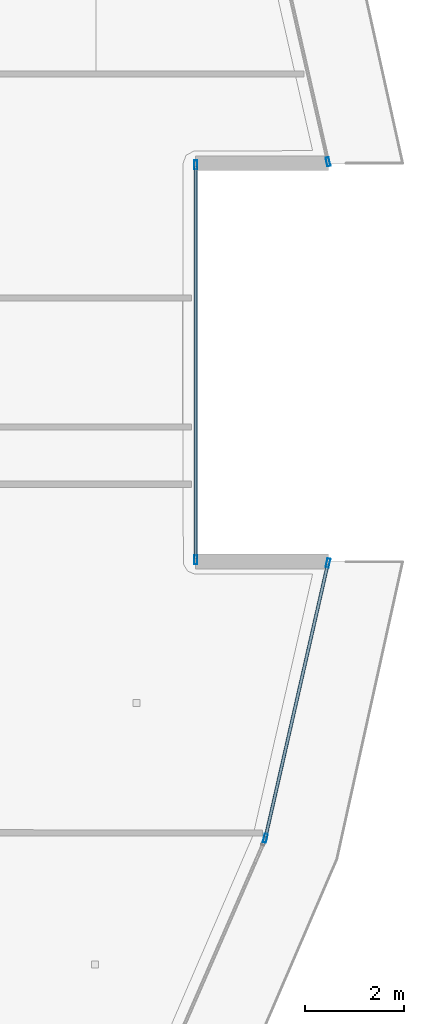
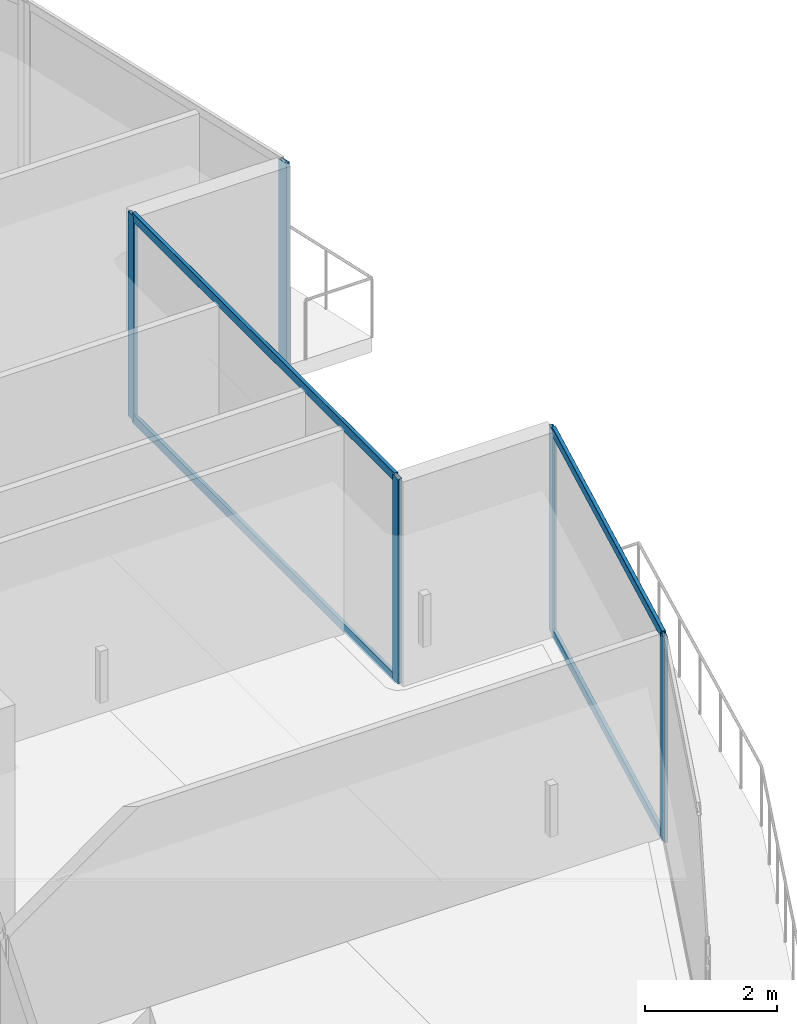
# One storey, part 13 of 36: 9 members, 3 elements without a shape of their own.
"""IFC4 building model written with IfcOpenShell, lengths in metres."""

from ifc_helpers import new_model, si_unit, direction, frame, origin, origin_2d, place, context, subcontext, project, spatial, hollow_rectangle, extrude, material, layer, layer_set, material_profile, profile_set, type_object, element, aggregate, save


model = new_model("IFC4")

# Units and contexts
model_context = context("Model", 3, precision=1e-05, world=origin(), true_north=direction((0.0, 1.0)))
body_context = subcontext(model_context, "Body", "Model", "MODEL_VIEW")
ifc_project = project(units=[si_unit("LENGTHUNIT", "METRE"), si_unit("AREAUNIT", "SQUARE_METRE"), si_unit("VOLUMEUNIT", "CUBIC_METRE"), si_unit("PLANEANGLEUNIT", "RADIAN"), si_unit("MASSUNIT", "GRAM", prefix="KILO")], contexts=[model_context])

# Site, building, storey
site_placement = place(None, origin())
site = spatial("IfcSite", under=ifc_project, at=site_placement, CompositionType="ELEMENT")
building_placement = place(site_placement, origin())
building = spatial("IfcBuilding", under=site, at=building_placement, Name="Qorvath Tower", CompositionType="ELEMENT")
storey_placement = place(building_placement, frame((0.0, 0.0, 241.5)))
storey = spatial("IfcBuildingStorey", under=building, at=storey_placement, Name="L56", CompositionType="ELEMENT", Elevation=241.5)

# Curtain wall, members
ifc_material_1 = material(Name="Anodised aluminium and triple low-E glass", Category="aluminium")
ifc_layer = layer(ifc_material_1, 0.179931640625)
ifc_layer_set = layer_set([ifc_layer], Name="CW-SYS-3")
curtain_wall_type = type_object("IfcCurtainWallType", Name="CW-SYS-3", PredefinedType="NOTDEFINED", material=ifc_layer_set)
curtain_wall_1_placement = place(storey_placement, origin())
curtain_wall_1 = element("IfcCurtainWall", 1, at=curtain_wall_1_placement, inside=storey, type_object=curtain_wall_type, Name="Curtain Wall CW-3 CW-T-L56-7.1", PredefinedType="NOTDEFINED")
ifc_material_2 = material(Name="Anodised aluminium 6063-T6", Category="aluminium")
ifc_material_profile_1 = material_profile(ifc_material_2, hollow_rectangle(XDim=0.06494140625, YDim=0.179931640625, WallThickness=0.00341796875, InnerFilletRadius=0.00341796875, OuterFilletRadius=0.007080078125, at=origin_2d()), Name="CWM 180x65")
ifc_profile_set_1 = profile_set([ifc_material_profile_1], Name="Anodised aluminium 6063-T6")
member_type_1 = type_object("IfcMemberType", Name="CWM-180", PredefinedType="MULLION", material=ifc_profile_set_1)
member_1_placement = place(storey_placement, frame((-1.6552734375, -9.64208984375, 0.0), z_axis=(0.0, 0.0, 1.0), x_axis=(-0.97499971703, 0.222206102058, 0.0)))
member_1 = element("IfcMember", 2, at=member_1_placement, type_object=member_type_1, Name="CW-3 mullion 1", PredefinedType="MULLION", context=body_context, shape_type="SweptSolid", body=[
    extrude(hollow_rectangle(XDim=0.06494140625, YDim=0.179931640625, WallThickness=0.00341796875, InnerFilletRadius=0.00341796875, OuterFilletRadius=0.007080078125, at=origin_2d()), origin(), (0.0, 0.0, 1.0), 3.780029296875),
])
member_2_placement = place(storey_placement, frame((-0.38427734375, -4.0654296875, 0.0), z_axis=(0.0, 0.0, 1.0), x_axis=(-0.97499971703, 0.222206102058, 0.0)))
member_2 = element("IfcMember", 3, at=member_2_placement, type_object=member_type_1, Name="CW-3 mullion 2", PredefinedType="MULLION", context=body_context, shape_type="SweptSolid", body=[
    extrude(hollow_rectangle(XDim=0.06494140625, YDim=0.179931640625, WallThickness=0.00341796875, InnerFilletRadius=0.00341796875, OuterFilletRadius=0.007080078125, at=origin_2d()), origin(), (0.0, 0.0, 1.0), 3.780029296875),
])

curtain_wall_2_placement = place(storey_placement, origin())
curtain_wall_2 = element("IfcCurtainWall", 4, at=curtain_wall_2_placement, inside=storey, type_object=curtain_wall_type, Name="Curtain Wall CW-3 CW-T-L56-9.1", PredefinedType="NOTDEFINED")
member_3_placement = place(storey_placement, frame((-3.066162109375, -4.001220703125, 0.0), z_axis=(0.0, 0.0, 1.0), x_axis=(-1.0, 0.0, 0.0)))
member_3 = element("IfcMember", 5, at=member_3_placement, type_object=member_type_1, Name="CW-3 mullion 1", PredefinedType="MULLION", context=body_context, shape_type="SweptSolid", body=[
    extrude(hollow_rectangle(XDim=0.06494140625, YDim=0.179931640625, WallThickness=0.00341796875, InnerFilletRadius=0.00341796875, OuterFilletRadius=0.007080078125, at=origin_2d()), origin(), (0.0, 0.0, 1.0), 3.780029296875),
])
member_4_placement = place(storey_placement, frame((-3.066162109375, 4.001220703125, 0.0), z_axis=(0.0, 0.0, 1.0), x_axis=(-1.0, 0.0, 0.0)))
member_4 = element("IfcMember", 6, at=member_4_placement, type_object=member_type_1, Name="CW-3 mullion 2", PredefinedType="MULLION", context=body_context, shape_type="SweptSolid", body=[
    extrude(hollow_rectangle(XDim=0.06494140625, YDim=0.179931640625, WallThickness=0.00341796875, InnerFilletRadius=0.00341796875, OuterFilletRadius=0.007080078125, at=origin_2d()), origin(), (0.0, 0.0, 1.0), 3.780029296875),
])

# Curtain wall, member
curtain_wall_3_placement = place(storey_placement, origin())
curtain_wall_3 = element("IfcCurtainWall", 7, at=curtain_wall_3_placement, inside=storey, type_object=curtain_wall_type, Name="Curtain Wall CW-3 CW-T-L56-11.1", PredefinedType="NOTDEFINED")
member_5_placement = place(storey_placement, frame((-0.38427734375, 4.0654296875, 0.0), z_axis=(0.0, 0.0, 1.0), x_axis=(-0.97499971703, -0.222206102058, 0.0)))
member_5 = element("IfcMember", 8, at=member_5_placement, type_object=member_type_1, Name="CW-3 mullion 1", PredefinedType="MULLION", context=body_context, shape_type="SweptSolid", body=[
    extrude(hollow_rectangle(XDim=0.06494140625, YDim=0.179931640625, WallThickness=0.00341796875, InnerFilletRadius=0.00341796875, OuterFilletRadius=0.007080078125, at=origin_2d()), origin(), (0.0, 0.0, 1.0), 3.780029296875),
])
aggregate(curtain_wall_3, [member_5])

# Member
ifc_material_3 = material(Name="Anodised aluminium 6063-T6", Category="aluminium")
ifc_material_profile_2 = material_profile(ifc_material_3, hollow_rectangle(XDim=0.06494140625, YDim=0.159912109375, WallThickness=0.00341796875, InnerFilletRadius=0.00341796875, OuterFilletRadius=0.007080078125, at=origin_2d()), Name="CWT 160x65")
ifc_profile_set_2 = profile_set([ifc_material_profile_2], Name="Anodised aluminium 6063-T6")
member_type_2 = type_object("IfcMemberType", Name="CWT-160", PredefinedType="USERDEFINED", material=ifc_profile_set_2)
member_6_placement = place(storey_placement, frame((-1.64794921875, -9.6103515625, 0.032470703125), z_axis=(0.222225691425, 0.974995252332, 0.0), x_axis=(-0.974995252332, 0.222225691425, 0.0)))
member_6 = element("IfcMember", 9, at=member_6_placement, type_object=member_type_2, Name="CW-3 transom 1.1", ObjectType="TRANSOM", PredefinedType="USERDEFINED", context=body_context, shape_type="SweptSolid", body=[
    extrude(hollow_rectangle(XDim=0.06494140625, YDim=0.159912109375, WallThickness=0.00341796875, InnerFilletRadius=0.00341796875, OuterFilletRadius=0.007080078125, at=origin_2d()), origin(), (0.0, 0.0, 1.0), 5.654541015625),
])

member_7_placement = place(storey_placement, frame((-1.64794921875, -9.6103515625, 3.74755859375), z_axis=(0.222225691425, 0.974995252332, 0.0), x_axis=(-0.974995252332, 0.222225691425, 0.0)))
member_7 = element("IfcMember", 10, at=member_7_placement, type_object=member_type_2, Name="CW-3 transom 1.2", ObjectType="TRANSOM", PredefinedType="USERDEFINED", context=body_context, shape_type="SweptSolid", body=[
    extrude(hollow_rectangle(XDim=0.06494140625, YDim=0.159912109375, WallThickness=0.00341796875, InnerFilletRadius=0.00341796875, OuterFilletRadius=0.007080078125, at=origin_2d()), origin(), (0.0, 0.0, 1.0), 5.654541015625),
])

aggregate(curtain_wall_1, [member_1, member_2, member_6, member_7])

member_8_placement = place(storey_placement, frame((-3.066162109375, -3.96875, 0.032470703125), z_axis=(0.0, 1.0, 0.0), x_axis=(-1.0, 0.0, 0.0)))
member_8 = element("IfcMember", 11, at=member_8_placement, type_object=member_type_2, Name="CW-3 transom 1.1", ObjectType="TRANSOM", PredefinedType="USERDEFINED", context=body_context, shape_type="SweptSolid", body=[
    extrude(hollow_rectangle(XDim=0.06494140625, YDim=0.159912109375, WallThickness=0.00341796875, InnerFilletRadius=0.00341796875, OuterFilletRadius=0.007080078125, at=origin_2d()), origin(), (0.0, 0.0, 1.0), 7.9375),
])

member_9_placement = place(storey_placement, frame((-3.066162109375, -3.96875, 3.74755859375), z_axis=(0.0, 1.0, 0.0), x_axis=(-1.0, 0.0, 0.0)))
member_9 = element("IfcMember", 12, at=member_9_placement, type_object=member_type_2, Name="CW-3 transom 1.2", ObjectType="TRANSOM", PredefinedType="USERDEFINED", context=body_context, shape_type="SweptSolid", body=[
    extrude(hollow_rectangle(XDim=0.06494140625, YDim=0.159912109375, WallThickness=0.00341796875, InnerFilletRadius=0.00341796875, OuterFilletRadius=0.007080078125, at=origin_2d()), origin(), (0.0, 0.0, 1.0), 7.9375),
])

aggregate(curtain_wall_2, [member_3, member_4, member_8, member_9])

save(model, "model.ifc")
